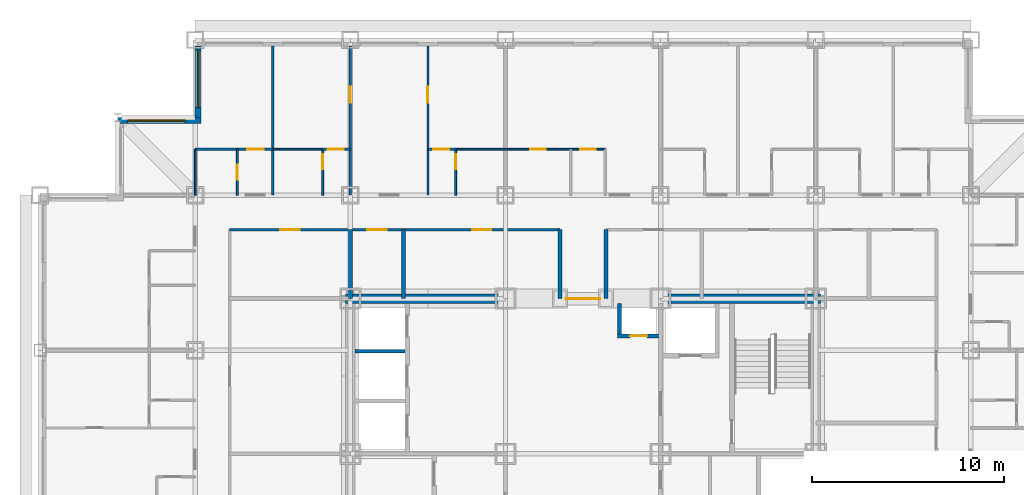
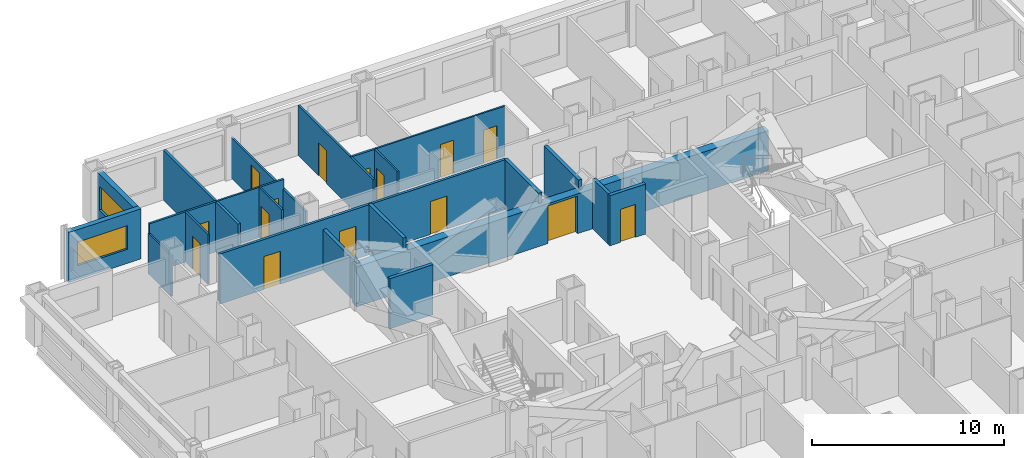
# One storey, part 9 of 14: 23 walls, 15 doors, 2 windows, 17 openings.
"""IFC4 building model written with IfcOpenShell, lengths in metres."""

from ifc_helpers import new_model, si_unit, direction, frame, frame_2d, origin, place, context, subcontext, project, spatial, rectangle, extrude, material, layer, layer_set, type_object, element, fill, save


model = new_model("IFC4")

# Units and contexts
model_context = context("Model", 3, precision=1e-05, world=origin(), true_north=direction((0.0, 1.0)))
body_context = subcontext(model_context, "Body", "Model", "MODEL_VIEW")
ifc_project = project(units=[si_unit("LENGTHUNIT", "METRE"), si_unit("AREAUNIT", "SQUARE_METRE"), si_unit("VOLUMEUNIT", "CUBIC_METRE"), si_unit("PLANEANGLEUNIT", "RADIAN"), si_unit("MASSUNIT", "GRAM", prefix="KILO")], contexts=[model_context])

# Site, building, storey
site_placement = place(None, origin())
site = spatial("IfcSite", under=ifc_project, at=site_placement, CompositionType="ELEMENT")
building_placement = place(site_placement, origin())
building = spatial("IfcBuilding", under=site, at=building_placement, Name="Kopane Lantern Tower", CompositionType="ELEMENT")
storey_placement = place(building_placement, frame((0.0, 0.0, 127.199951171875)))
storey = spatial("IfcBuildingStorey", under=building, at=storey_placement, Name="L32", CompositionType="ELEMENT", Elevation=127.199951171875)

# Wall, opening, door
ifc_material_1 = material(Name="Gypsum board on steel studs", Category="steel")
ifc_layer_1 = layer(ifc_material_1, 0.1201171875)
ifc_layer_set_1 = layer_set([ifc_layer_1], Name="APARTMENT INTERNAL WALL 120")
wall_type_1 = type_object("IfcWallType", Name="APARTMENT INTERNAL WALL 120", PredefinedType="PARTITIONING", material=ifc_layer_set_1)
wall_1_placement = place(storey_placement, frame((16.199951171875, 45.89990234375, 0.0), z_axis=(0.0, 0.0, 1.0), x_axis=(0.0, 1.0, 0.0)))
wall_1 = element("IfcWall", 1, at=wall_1_placement, inside=storey, type_object=wall_type_1, Name="Apartment Internal Wall 120 L32", PredefinedType="PARTITIONING", context=body_context, shape_type="SweptSolid", body=[
    extrude(rectangle(XDim=7.800048828125, YDim=0.1201171875, at=frame_2d((3.89990234375, 0.0))), origin(), (0.0, 0.0, 1.0), 2.577880859375),
])
opening_1_placement = place(wall_1_placement, frame((4.824951171875, 0.0, 0.0)))
opening_1 = element("IfcOpeningElement", 2, at=opening_1_placement, cuts=wall_1, Name="Opening L32-031", PredefinedType="OPENING", context=body_context, shape_type="SweptSolid", body=[
    extrude(rectangle(XDim=0.85009765625, YDim=2.10009765625, at=frame_2d((0.425048828125, 1.050048828125))), frame((0.0, 0.070068359375, 0.0), z_axis=(0.0, -1.0, 0.0), x_axis=(1.0, 0.0, 0.0)), (0.0, 0.0, 1.0), 0.14013671875),
])
ifc_material_2 = material(Name="Timber door set", Category="wood")
door_type_1 = type_object("IfcDoorType", Name="DOOR D4 850x2100", OperationType="SINGLE_SWING_LEFT", PredefinedType="DOOR", material=ifc_material_2)
door_1_placement = place(opening_1_placement, origin())
door_1 = element("IfcDoor", 3, at=door_1_placement, inside=storey, type_object=door_type_1, Name="Door L32-031", OperationType="SINGLE_SWING_LEFT", OverallHeight=2.10009765625, OverallWidth=0.85009765625, PredefinedType="DOOR", context=body_context, shape_type="SweptSolid", body=[
    extrude(rectangle(XDim=0.85009765625, YDim=2.10009765625, at=frame_2d((0.425048828125, 1.050048828125))), frame((0.0, 0.02490234375, 0.0), z_axis=(0.0, -1.0, 0.0), x_axis=(1.0, 0.0, 0.0)), (0.0, 0.0, 1.0), 0.050048828125),
])
fill(opening_1, door_1)

wall_2_placement = place(storey_placement, frame((20.25, 45.89990234375, 0.0), z_axis=(0.0, 0.0, 1.0), x_axis=(0.0, 1.0, 0.0)))
wall_2 = element("IfcWall", 4, at=wall_2_placement, inside=storey, type_object=wall_type_1, Name="Apartment Internal Wall 120 L32", PredefinedType="PARTITIONING", context=body_context, shape_type="SweptSolid", body=[
    extrude(rectangle(XDim=7.800048828125, YDim=0.1201171875, at=frame_2d((3.89990234375, 0.0))), origin(), (0.0, 0.0, 1.0), 3.18994140625),
])
opening_2_placement = place(wall_2_placement, frame((4.824951171875, 0.0, 0.0)))
opening_2 = element("IfcOpeningElement", 5, at=opening_2_placement, cuts=wall_2, Name="Opening L32-033", PredefinedType="OPENING", context=body_context, shape_type="SweptSolid", body=[
    extrude(rectangle(XDim=0.85009765625, YDim=2.10009765625, at=frame_2d((0.425048828125, 1.050048828125))), frame((0.0, 0.070068359375, 0.0), z_axis=(0.0, -1.0, 0.0), x_axis=(1.0, 0.0, 0.0)), (0.0, 0.0, 1.0), 0.14013671875),
])
door_2_placement = place(opening_2_placement, origin())
door_2 = element("IfcDoor", 6, at=door_2_placement, inside=storey, type_object=door_type_1, Name="Door L32-033", OperationType="SINGLE_SWING_RIGHT", OverallHeight=2.10009765625, OverallWidth=0.85009765625, PredefinedType="DOOR", context=body_context, shape_type="SweptSolid", body=[
    extrude(rectangle(XDim=0.85009765625, YDim=2.10009765625, at=frame_2d((0.425048828125, 1.050048828125))), frame((0.0, 0.02490234375, 0.0), z_axis=(0.0, -1.0, 0.0), x_axis=(1.0, 0.0, 0.0)), (0.0, 0.0, 1.0), 0.050048828125),
])
fill(opening_2, door_2)

wall_3_placement = place(storey_placement, frame((8.10009765625, 48.300048828125, 0.0), z_axis=(0.0, 0.0, 1.0), x_axis=(1.0, 0.0, 0.0)))
wall_3 = element("IfcWall", 7, at=wall_3_placement, inside=storey, type_object=wall_type_1, Name="Apartment Internal Wall 120 L32", PredefinedType="PARTITIONING", context=body_context, shape_type="SweptSolid", body=[
    extrude(rectangle(XDim=4.0498046875, YDim=0.1201171875, at=frame_2d((2.02490234375, 0.0))), origin(), (0.0, 0.0, 1.0), 3.18994140625),
])
opening_3_placement = place(wall_3_placement, frame((2.72509765625, 0.0, 0.0)))
opening_3 = element("IfcOpeningElement", 8, at=opening_3_placement, cuts=wall_3, Name="Opening L32-078", PredefinedType="OPENING", context=body_context, shape_type="SweptSolid", body=[
    extrude(rectangle(XDim=0.85009765625, YDim=2.10009765625, at=frame_2d((0.425048828125, 1.050048828125))), frame((0.0, 0.070068359375, 0.0), z_axis=(0.0, -1.0, 0.0), x_axis=(1.0, 0.0, 0.0)), (0.0, 0.0, 1.0), 0.14013671875),
])
door_3_placement = place(opening_3_placement, origin())
door_3 = element("IfcDoor", 9, at=door_3_placement, inside=storey, type_object=door_type_1, Name="Door L32-078", OperationType="SINGLE_SWING_LEFT", OverallHeight=2.10009765625, OverallWidth=0.85009765625, PredefinedType="DOOR", context=body_context, shape_type="SweptSolid", body=[
    extrude(rectangle(XDim=0.85009765625, YDim=2.10009765625, at=frame_2d((0.425048828125, 1.050048828125))), frame((0.0, 0.02490234375, 0.0), z_axis=(0.0, -1.0, 0.0), x_axis=(1.0, 0.0, 0.0)), (0.0, 0.0, 1.0), 0.050048828125),
])
fill(opening_3, door_3)

wall_4_placement = place(storey_placement, frame((14.739990234375, 48.300048828125, 0.0), z_axis=(0.0, 0.0, 1.0), x_axis=(1.0, 0.0, 0.0)))
wall_4 = element("IfcWall", 10, at=wall_4_placement, inside=storey, type_object=wall_type_1, Name="Apartment Internal Wall 120 L32", PredefinedType="PARTITIONING", context=body_context, shape_type="SweptSolid", body=[
    extrude(rectangle(XDim=1.4599609375, YDim=0.1201171875, at=frame_2d((0.72998046875, 0.0))), origin(), (0.0, 0.0, 1.0), 3.18994140625),
])
opening_4_placement = place(wall_4_placement, frame((0.27490234375, 0.0, 0.0)))
opening_4 = element("IfcOpeningElement", 11, at=opening_4_placement, cuts=wall_4, Name="Opening L32-083", PredefinedType="OPENING", context=body_context, shape_type="SweptSolid", body=[
    extrude(rectangle(XDim=0.85009765625, YDim=2.10009765625, at=frame_2d((0.425048828125, 1.050048828125))), frame((0.0, 0.070068359375, 0.0), z_axis=(0.0, -1.0, 0.0), x_axis=(1.0, 0.0, 0.0)), (0.0, 0.0, 1.0), 0.14013671875),
])
door_4_placement = place(opening_4_placement, origin())
door_4 = element("IfcDoor", 12, at=door_4_placement, inside=storey, type_object=door_type_1, Name="Door L32-083", OperationType="SINGLE_SWING_RIGHT", OverallHeight=2.10009765625, OverallWidth=0.85009765625, PredefinedType="DOOR", context=body_context, shape_type="SweptSolid", body=[
    extrude(rectangle(XDim=0.85009765625, YDim=2.10009765625, at=frame_2d((0.425048828125, 1.050048828125))), frame((0.0, 0.02490234375, 0.0), z_axis=(0.0, -1.0, 0.0), x_axis=(1.0, 0.0, 0.0)), (0.0, 0.0, 1.0), 0.050048828125),
])
fill(opening_4, door_4)

wall_5_placement = place(storey_placement, frame((20.25, 48.300048828125, 0.0), z_axis=(0.0, 0.0, 1.0), x_axis=(1.0, 0.0, 0.0)))
wall_5 = element("IfcWall", 13, at=wall_5_placement, inside=storey, type_object=wall_type_1, Name="Apartment Internal Wall 120 L32", PredefinedType="PARTITIONING", context=body_context, shape_type="SweptSolid", body=[
    extrude(rectangle(XDim=1.4599609375, YDim=0.1201171875, at=frame_2d((0.72998046875, 0.0))), origin(), (0.0, 0.0, 1.0), 3.18994140625),
])
opening_5_placement = place(wall_5_placement, frame((0.27490234375, 0.0, 0.0)))
opening_5 = element("IfcOpeningElement", 14, at=opening_5_placement, cuts=wall_5, Name="Opening L32-084", PredefinedType="OPENING", context=body_context, shape_type="SweptSolid", body=[
    extrude(rectangle(XDim=0.85009765625, YDim=2.10009765625, at=frame_2d((0.425048828125, 1.050048828125))), frame((0.0, 0.070068359375, 0.0), z_axis=(0.0, -1.0, 0.0), x_axis=(1.0, 0.0, 0.0)), (0.0, 0.0, 1.0), 0.14013671875),
])
door_5_placement = place(opening_5_placement, origin())
door_5 = element("IfcDoor", 15, at=door_5_placement, inside=storey, type_object=door_type_1, Name="Door L32-084", OperationType="SINGLE_SWING_LEFT", OverallHeight=2.10009765625, OverallWidth=0.85009765625, PredefinedType="DOOR", context=body_context, shape_type="SweptSolid", body=[
    extrude(rectangle(XDim=0.85009765625, YDim=2.10009765625, at=frame_2d((0.425048828125, 1.050048828125))), frame((0.0, 0.02490234375, 0.0), z_axis=(0.0, -1.0, 0.0), x_axis=(1.0, 0.0, 0.0)), (0.0, 0.0, 1.0), 0.050048828125),
])
fill(opening_5, door_5)

# Wall
ifc_material_3 = material(Name="Moisture-resistant board on steel studs", Category="steel")
ifc_layer_2 = layer(ifc_material_3, 0.10009765625)
ifc_layer_set_2 = layer_set([ifc_layer_2], Name="BATHROOM WALL 100")
wall_type_2 = type_object("IfcWallType", Name="BATHROOM WALL 100", PredefinedType="PARTITIONING", material=ifc_layer_set_2)
wall_6_placement = place(storey_placement, frame((12.14990234375, 48.300048828125, 0.0), z_axis=(0.0, 0.0, 1.0), x_axis=(1.0, 0.0, 0.0)))
element("IfcWall", 16, at=wall_6_placement, inside=storey, type_object=wall_type_2, Name="Bathroom Wall 100 L32", PredefinedType="PARTITIONING", context=body_context, shape_type="SweptSolid", body=[
    extrude(rectangle(XDim=2.60009765625, YDim=0.10009765625, at=frame_2d((1.300048828125, 0.0))), origin(), (0.0, 0.0, 1.0), 3.18994140625),
])

# Wall, opening, door
wall_7_placement = place(storey_placement, frame((14.75, 45.89990234375, 0.0), z_axis=(0.0, 0.0, 1.0), x_axis=(0.0, 1.0, 0.0)))
wall_7 = element("IfcWall", 17, at=wall_7_placement, inside=storey, type_object=wall_type_2, Name="Bathroom Wall 100 L32", PredefinedType="PARTITIONING", context=body_context, shape_type="SweptSolid", body=[
    extrude(rectangle(XDim=2.400146484375, YDim=0.10009765625, at=frame_2d((1.2001953125, 0.0))), origin(), (0.0, 0.0, 1.0), 3.18994140625),
])
opening_6_placement = place(wall_7_placement, frame((1.35009765625, 0.0, 0.0)))
opening_6 = element("IfcOpeningElement", 18, at=opening_6_placement, cuts=wall_7, Name="Opening L32-030", PredefinedType="OPENING", context=body_context, shape_type="SweptSolid", body=[
    extrude(rectangle(XDim=0.800048828125, YDim=2.10009765625, at=frame_2d((0.39990234375, 1.050048828125))), frame((0.0, 0.06005859375, 0.0), z_axis=(0.0, -1.0, 0.0), x_axis=(1.0, 0.0, 0.0)), (0.0, 0.0, 1.0), 0.1201171875),
])
ifc_material_4 = material(Name="Timber door set", Category="wood")
door_type_2 = type_object("IfcDoorType", Name="DOOR D2 800x2100", OperationType="SINGLE_SWING_LEFT", PredefinedType="DOOR", material=ifc_material_4)
door_6_placement = place(opening_6_placement, origin())
door_6 = element("IfcDoor", 19, at=door_6_placement, inside=storey, type_object=door_type_2, Name="Door L32-030", OperationType="SINGLE_SWING_LEFT", OverallHeight=2.10009765625, OverallWidth=0.800048828125, PredefinedType="DOOR", context=body_context, shape_type="SweptSolid", body=[
    extrude(rectangle(XDim=0.800048828125, YDim=2.10009765625, at=frame_2d((0.39990234375, 1.050048828125))), frame((0.0, 0.02490234375, 0.0), z_axis=(0.0, -1.0, 0.0), x_axis=(1.0, 0.0, 0.0)), (0.0, 0.0, 1.0), 0.050048828125),
])
fill(opening_6, door_6)

# Wall, openings, doors
wall_8_placement = place(storey_placement, frame((21.699951171875, 48.300048828125, 0.0), z_axis=(0.0, 0.0, 1.0), x_axis=(1.0, 0.0, 0.0)))
wall_8 = element("IfcWall", 20, at=wall_8_placement, inside=storey, type_object=wall_type_2, Name="Bathroom Wall 100 L32", PredefinedType="PARTITIONING", context=body_context, shape_type="SweptSolid", body=[
    extrude(rectangle(XDim=7.800048828125, YDim=0.10009765625, at=frame_2d((3.89990234375, 0.0))), origin(), (0.0, 0.0, 1.0), 3.18994140625),
])
opening_7_placement = place(wall_8_placement, frame((3.89990234375, 0.0, 0.0)))
opening_7 = element("IfcOpeningElement", 21, at=opening_7_placement, cuts=wall_8, Name="Opening L32-034", PredefinedType="OPENING", context=body_context, shape_type="SweptSolid", body=[
    extrude(rectangle(XDim=0.800048828125, YDim=2.10009765625, at=frame_2d((0.39990234375, 1.050048828125))), frame((0.0, 0.06005859375, 0.0), z_axis=(0.0, -1.0, 0.0), x_axis=(1.0, 0.0, 0.0)), (0.0, 0.0, 1.0), 0.1201171875),
])
opening_8_placement = place(wall_8_placement, frame((6.5, 0.0, 0.0)))
opening_8 = element("IfcOpeningElement", 22, at=opening_8_placement, cuts=wall_8, Name="Opening L32-035", PredefinedType="OPENING", context=body_context, shape_type="SweptSolid", body=[
    extrude(rectangle(XDim=0.800048828125, YDim=2.10009765625, at=frame_2d((0.39990234375, 1.050048828125))), frame((0.0, 0.06005859375, 0.0), z_axis=(0.0, -1.0, 0.0), x_axis=(1.0, 0.0, 0.0)), (0.0, 0.0, 1.0), 0.1201171875),
])
door_7_placement = place(opening_7_placement, origin())
door_7 = element("IfcDoor", 23, at=door_7_placement, inside=storey, type_object=door_type_2, Name="Door L32-034", OperationType="SINGLE_SWING_LEFT", OverallHeight=2.10009765625, OverallWidth=0.800048828125, PredefinedType="DOOR", context=body_context, shape_type="SweptSolid", body=[
    extrude(rectangle(XDim=0.800048828125, YDim=2.10009765625, at=frame_2d((0.39990234375, 1.050048828125))), frame((0.0, 0.02490234375, 0.0), z_axis=(0.0, -1.0, 0.0), x_axis=(1.0, 0.0, 0.0)), (0.0, 0.0, 1.0), 0.050048828125),
])
fill(opening_7, door_7)
door_8_placement = place(opening_8_placement, origin())
door_8 = element("IfcDoor", 24, at=door_8_placement, inside=storey, type_object=door_type_2, Name="Door L32-035", OperationType="SINGLE_SWING_LEFT", OverallHeight=2.10009765625, OverallWidth=0.800048828125, PredefinedType="DOOR", context=body_context, shape_type="SweptSolid", body=[
    extrude(rectangle(XDim=0.800048828125, YDim=2.10009765625, at=frame_2d((0.39990234375, 1.050048828125))), frame((0.0, 0.02490234375, 0.0), z_axis=(0.0, -1.0, 0.0), x_axis=(1.0, 0.0, 0.0)), (0.0, 0.0, 1.0), 0.050048828125),
])
fill(opening_8, door_8)

# Wall, opening, door
wall_9_placement = place(storey_placement, frame((21.699951171875, 45.89990234375, 0.0), z_axis=(0.0, 0.0, 1.0), x_axis=(0.0, 1.0, 0.0)))
wall_9 = element("IfcWall", 25, at=wall_9_placement, inside=storey, type_object=wall_type_2, Name="Bathroom Wall 100 L32", PredefinedType="PARTITIONING", context=body_context, shape_type="SweptSolid", body=[
    extrude(rectangle(XDim=2.400146484375, YDim=0.10009765625, at=frame_2d((1.2001953125, 0.0))), origin(), (0.0, 0.0, 1.0), 3.18994140625),
])
opening_9_placement = place(wall_9_placement, frame((1.35009765625, 0.0, 0.0)))
opening_9 = element("IfcOpeningElement", 26, at=opening_9_placement, cuts=wall_9, Name="Opening L32-032", PredefinedType="OPENING", context=body_context, shape_type="SweptSolid", body=[
    extrude(rectangle(XDim=0.800048828125, YDim=2.10009765625, at=frame_2d((0.39990234375, 1.050048828125))), frame((0.0, 0.06005859375, 0.0), z_axis=(0.0, -1.0, 0.0), x_axis=(1.0, 0.0, 0.0)), (0.0, 0.0, 1.0), 0.1201171875),
])
door_9_placement = place(opening_9_placement, origin())
door_9 = element("IfcDoor", 27, at=door_9_placement, inside=storey, type_object=door_type_2, Name="Door L32-032", OperationType="SINGLE_SWING_RIGHT", OverallHeight=2.10009765625, OverallWidth=0.800048828125, PredefinedType="DOOR", context=body_context, shape_type="SweptSolid", body=[
    extrude(rectangle(XDim=0.800048828125, YDim=2.10009765625, at=frame_2d((0.39990234375, 1.050048828125))), frame((0.0, 0.02490234375, 0.0), z_axis=(0.0, -1.0, 0.0), x_axis=(1.0, 0.0, 0.0)), (0.0, 0.0, 1.0), 0.050048828125),
])
fill(opening_9, door_9)

wall_10_placement = place(storey_placement, frame((10.300048828125, 45.89990234375, 0.0), z_axis=(0.0, 0.0, 1.0), x_axis=(0.0, 1.0, 0.0)))
wall_10 = element("IfcWall", 28, at=wall_10_placement, inside=storey, type_object=wall_type_2, Name="Bathroom Wall 100 L32", PredefinedType="PARTITIONING", context=body_context, shape_type="SweptSolid", body=[
    extrude(rectangle(XDim=2.400146484375, YDim=0.10009765625, at=frame_2d((1.2001953125, 0.0))), origin(), (0.0, 0.0, 1.0), 3.18994140625),
])
opening_10_placement = place(wall_10_placement, frame((0.800048828125, 0.0, 0.0)))
opening_10 = element("IfcOpeningElement", 29, at=opening_10_placement, cuts=wall_10, Name="Opening L32-076", PredefinedType="OPENING", context=body_context, shape_type="SweptSolid", body=[
    extrude(rectangle(XDim=0.800048828125, YDim=2.10009765625, at=frame_2d((0.39990234375, 1.050048828125))), frame((0.0, 0.06005859375, 0.0), z_axis=(0.0, -1.0, 0.0), x_axis=(1.0, 0.0, 0.0)), (0.0, 0.0, 1.0), 0.1201171875),
])
door_10_placement = place(opening_10_placement, origin())
door_10 = element("IfcDoor", 30, at=door_10_placement, inside=storey, type_object=door_type_2, Name="Door L32-076", OperationType="SINGLE_SWING_LEFT", OverallHeight=2.10009765625, OverallWidth=0.800048828125, PredefinedType="DOOR", context=body_context, shape_type="SweptSolid", body=[
    extrude(rectangle(XDim=0.800048828125, YDim=2.10009765625, at=frame_2d((0.39990234375, 1.050048828125))), frame((0.0, 0.02490234375, 0.0), z_axis=(0.0, -1.0, 0.0), x_axis=(1.0, 0.0, 0.0)), (0.0, 0.0, 1.0), 0.050048828125),
])
fill(opening_10, door_10)

# Wall
wall_11_placement = place(storey_placement, frame((8.10009765625, 45.89990234375, 0.0), z_axis=(0.0, 0.0, 1.0), x_axis=(0.0, 1.0, 0.0)))
element("IfcWall", 31, at=wall_11_placement, inside=storey, type_object=wall_type_2, Name="Bathroom Wall 100 L32", PredefinedType="PARTITIONING", context=body_context, shape_type="SweptSolid", body=[
    extrude(rectangle(XDim=2.400146484375, YDim=0.10009765625, at=frame_2d((1.2001953125, 0.0))), origin(), (0.0, 0.0, 1.0), 2.577880859375),
])

# Wall, opening, door
ifc_material_5 = material(Name="Gypsum shaft wall EI 120", Category="gypsum")
ifc_layer_3 = layer(ifc_material_5, 0.5)
ifc_layer_set_3 = layer_set([ifc_layer_3], Name="CORE PERIMETER WALL 500 EI 120")
wall_type_3 = type_object("IfcWallType", Name="CORE PERIMETER WALL 500 EI 120", PredefinedType="SOLIDWALL", material=ifc_layer_set_3)
wall_12_placement = place(storey_placement, frame((15.949951171875, 40.5, 0.0), z_axis=(0.0, 0.0, 1.0), x_axis=(1.0, 0.0, 0.0)))
wall_12 = element("IfcWall", 32, at=wall_12_placement, inside=storey, type_object=wall_type_3, Name="Core shaft wall L32 PN", PredefinedType="SOLIDWALL", context=body_context, shape_type="SweptSolid", body=[
    extrude(rectangle(XDim=24.800048828125, YDim=0.5, at=frame_2d((12.39990234375, 0.0))), origin(), (0.0, 0.0, 1.0), 2.5400390625),
])
opening_11_placement = place(wall_12_placement, frame((11.5, 0.0, 0.0)))
opening_11 = element("IfcOpeningElement", 33, at=opening_11_placement, cuts=wall_12, Name="Opening 32.CE-N", PredefinedType="OPENING", context=body_context, shape_type="SweptSolid", body=[
    extrude(rectangle(XDim=1.800048828125, YDim=2.39990234375, at=frame_2d((0.89990234375, 1.199951171875))), frame((0.0, 0.260009765625, 0.0), z_axis=(0.0, -1.0, 0.0), x_axis=(1.0, 0.0, 0.0)), (0.0, 0.0, 1.0), 0.52001953125),
])
ifc_material_6 = material(Name="Steel door set", Category="steel")
door_type_3 = type_object("IfcDoorType", Name="CORE ENTRY DOOR 1800x2400 FD60S", OperationType="DOUBLE_DOOR_SINGLE_SWING", PredefinedType="DOOR", material=ifc_material_6)
door_11_placement = place(opening_11_placement, origin())
door_11 = element("IfcDoor", 34, at=door_11_placement, inside=storey, type_object=door_type_3, Name="Core entry door L32 north", OperationType="DOUBLE_DOOR_SINGLE_SWING", OverallHeight=2.39990234375, OverallWidth=1.800048828125, PredefinedType="DOOR", context=body_context, shape_type="SweptSolid", body=[
    extrude(rectangle(XDim=1.800048828125, YDim=2.39990234375, at=frame_2d((0.89990234375, 1.199951171875))), frame((0.0, 0.02490234375, 0.0), z_axis=(0.0, -1.0, 0.0), x_axis=(1.0, 0.0, 0.0)), (0.0, 0.0, 1.0), 0.050048828125),
])
fill(opening_11, door_11)

# Wall, openings, doors
ifc_material_7 = material(Name="Gypsum board on steel studs", Category="steel")
ifc_layer_4 = layer(ifc_material_7, 0.14990234375)
ifc_layer_set_4 = layer_set([ifc_layer_4], Name="CORRIDOR WALL 150 EI 60")
wall_type_4 = type_object("IfcWallType", Name="CORRIDOR WALL 150 EI 60", PredefinedType="PARTITIONING", material=ifc_layer_set_4)
wall_13_placement = place(storey_placement, frame((27.139892578125, 44.10009765625, 0.0), z_axis=(0.0, 0.0, 1.0), x_axis=(-1.0, 0.0, 0.0)))
wall_13 = element("IfcWall", 35, at=wall_13_placement, inside=storey, type_object=wall_type_4, Name="Corridor Wall 150 Ei 60 L32", PredefinedType="PARTITIONING", context=body_context, shape_type="SweptSolid", body=[
    extrude(rectangle(XDim=17.239990234375, YDim=0.14990234375, at=frame_2d((8.6201171875, 0.0))), origin(), (0.0, 0.0, 1.0), 3.18994140625),
])
opening_12_placement = place(wall_13_placement, frame((13.590087890625, 0.0, 0.0)))
opening_12 = element("IfcOpeningElement", 36, at=opening_12_placement, cuts=wall_13, Name="Opening L32-008", PredefinedType="OPENING", context=body_context, shape_type="SweptSolid", body=[
    extrude(rectangle(XDim=1.0, YDim=2.10009765625, at=frame_2d((0.5, 1.050048828125))), frame((0.0, 0.0849609375, 0.0), z_axis=(0.0, -1.0, 0.0), x_axis=(1.0, 0.0, 0.0)), (0.0, 0.0, 1.0), 0.169921875),
])
opening_13_placement = place(wall_13_placement, frame((9.051025390625, 0.0, 0.0)))
opening_13 = element("IfcOpeningElement", 37, at=opening_13_placement, cuts=wall_13, Name="Opening L32-009", PredefinedType="OPENING", context=body_context, shape_type="SweptSolid", body=[
    extrude(rectangle(XDim=1.0, YDim=2.10009765625, at=frame_2d((0.5, 1.050048828125))), frame((0.0, 0.0849609375, 0.0), z_axis=(0.0, -1.0, 0.0), x_axis=(1.0, 0.0, 0.0)), (0.0, 0.0, 1.0), 0.169921875),
])
opening_14_placement = place(wall_13_placement, frame((3.576171875, 0.0, 0.0)))
opening_14 = element("IfcOpeningElement", 38, at=opening_14_placement, cuts=wall_13, Name="Opening L32-010", PredefinedType="OPENING", context=body_context, shape_type="SweptSolid", body=[
    extrude(rectangle(XDim=1.0, YDim=2.10009765625, at=frame_2d((0.5, 1.050048828125))), frame((0.0, 0.0849609375, 0.0), z_axis=(0.0, -1.0, 0.0), x_axis=(1.0, 0.0, 0.0)), (0.0, 0.0, 1.0), 0.169921875),
])
ifc_material_8 = material(Name="Steel door set", Category="steel")
door_type_4 = type_object("IfcDoorType", Name="DOOR D5 1000x2100 FD60", OperationType="SINGLE_SWING_LEFT", PredefinedType="DOOR", material=ifc_material_8)
door_12_placement = place(opening_12_placement, origin())
door_12 = element("IfcDoor", 39, at=door_12_placement, inside=storey, type_object=door_type_4, Name="Door L32-008", OperationType="SINGLE_SWING_LEFT", OverallHeight=2.10009765625, OverallWidth=1.0, PredefinedType="DOOR", context=body_context, shape_type="SweptSolid", body=[
    extrude(rectangle(XDim=1.0, YDim=2.10009765625, at=frame_2d((0.5, 1.050048828125))), frame((0.0, 0.02490234375, 0.0), z_axis=(0.0, -1.0, 0.0), x_axis=(1.0, 0.0, 0.0)), (0.0, 0.0, 1.0), 0.050048828125),
])
fill(opening_12, door_12)
door_13_placement = place(opening_13_placement, origin())
door_13 = element("IfcDoor", 40, at=door_13_placement, inside=storey, type_object=door_type_4, Name="Door L32-009", OperationType="SINGLE_SWING_RIGHT", OverallHeight=2.10009765625, OverallWidth=1.0, PredefinedType="DOOR", context=body_context, shape_type="SweptSolid", body=[
    extrude(rectangle(XDim=1.0, YDim=2.10009765625, at=frame_2d((0.5, 1.050048828125))), frame((0.0, 0.02490234375, 0.0), z_axis=(0.0, -1.0, 0.0), x_axis=(1.0, 0.0, 0.0)), (0.0, 0.0, 1.0), 0.050048828125),
])
fill(opening_13, door_13)
door_14_placement = place(opening_14_placement, origin())
door_14 = element("IfcDoor", 41, at=door_14_placement, inside=storey, type_object=door_type_4, Name="Door L32-010", OperationType="SINGLE_SWING_LEFT", OverallHeight=2.10009765625, OverallWidth=1.0, PredefinedType="DOOR", context=body_context, shape_type="SweptSolid", body=[
    extrude(rectangle(XDim=1.0, YDim=2.10009765625, at=frame_2d((0.5, 1.050048828125))), frame((0.0, 0.02490234375, 0.0), z_axis=(0.0, -1.0, 0.0), x_axis=(1.0, 0.0, 0.0)), (0.0, 0.0, 1.0), 0.050048828125),
])
fill(opening_14, door_14)

# Wall
ifc_material_9 = material(Name="Gypsum board on steel studs", Category="steel")
ifc_layer_5 = layer(ifc_material_9, 0.14990234375)
ifc_layer_set_5 = layer_set([ifc_layer_5], Name="DEMISING WALL 150 EI 60")
wall_type_5 = type_object("IfcWallType", Name="DEMISING WALL 150 EI 60", PredefinedType="PARTITIONING", material=ifc_layer_set_5)
wall_14_placement = place(storey_placement, frame((12.14990234375, 45.89990234375, 0.0), z_axis=(0.0, 0.0, 1.0), x_axis=(0.0, 1.0, 0.0)))
element("IfcWall", 42, at=wall_14_placement, inside=storey, type_object=wall_type_5, Name="Demising Wall 150 Ei 60 L32", PredefinedType="PARTITIONING", context=body_context, shape_type="SweptSolid", body=[
    extrude(rectangle(XDim=7.800048828125, YDim=0.14990234375, at=frame_2d((3.89990234375, 0.0))), origin(), (0.0, 0.0, 1.0), 3.18994140625),
])

# Wall, opening, window
ifc_material_10 = material(Name="Terracotta rainscreen on light steel framing", Category="masonry")
ifc_layer_6 = layer(ifc_material_10, 0.300048828125)
ifc_layer_set_6 = layer_set([ifc_layer_6], Name="EXTERNAL WALL EW1 300 TERRACOTTA")
wall_type_6 = type_object("IfcWallType", Name="EXTERNAL WALL EW1 300 TERRACOTTA", PredefinedType="SOLIDWALL", material=ifc_layer_set_6)
wall_15_placement = place(storey_placement, frame((8.25, 53.699951171875, 0.0), z_axis=(0.0, 0.0, 1.0), x_axis=(0.0, -1.0, 0.0)))
wall_15 = element("IfcWall", 43, at=wall_15_placement, inside=storey, type_object=wall_type_6, Name="External wall W L32", PredefinedType="SOLIDWALL", context=body_context, shape_type="SweptSolid", body=[
    extrude(rectangle(XDim=3.75, YDim=0.300048828125, at=frame_2d((1.875, 0.0))), origin(), (0.0, 0.0, 1.0), 3.18994140625),
])
opening_15_placement = place(wall_15_placement, frame((0.22509765625, 0.0, 0.89990234375)))
opening_15 = element("IfcOpeningElement", 44, at=opening_15_placement, cuts=wall_15, Name="Opening WR300150", PredefinedType="OPENING", context=body_context, shape_type="SweptSolid", body=[
    extrude(rectangle(XDim=3.0, YDim=1.5, at=frame_2d((1.5, 0.75))), frame((0.0, 0.159912109375, 0.0), z_axis=(0.0, -1.0, 0.0), x_axis=(1.0, 0.0, 0.0)), (0.0, 0.0, 1.0), 0.320068359375),
])
ifc_material_11 = material(Name="Aluminium and clear glass", Category="aluminium")
window_type = type_object("IfcWindowType", Name="RIBBON WINDOW WR300150 3000x1500", PartitioningType="SINGLE_PANEL", PredefinedType="WINDOW", material=ifc_material_11)
window_1_placement = place(opening_15_placement, origin())
window_1 = element("IfcWindow", 45, at=window_1_placement, inside=storey, type_object=window_type, Name="Window W L32", OverallHeight=1.5, OverallWidth=3.0, PartitioningType="SINGLE_PANEL", PredefinedType="WINDOW", context=body_context, shape_type="SweptSolid", body=[
    extrude(rectangle(XDim=3.0, YDim=1.5, at=frame_2d((1.5, 0.75))), frame((0.0, 0.030029296875, 0.0), z_axis=(0.0, -1.0, 0.0), x_axis=(1.0, 0.0, 0.0)), (0.0, 0.0, 1.0), 0.06005859375),
])
fill(opening_15, window_1)

wall_16_placement = place(storey_placement, frame((8.39990234375, 49.800048828125, 0.0), z_axis=(0.0, 0.0, 1.0), x_axis=(-1.0, 0.0, 0.0)))
wall_16 = element("IfcWall", 46, at=wall_16_placement, inside=storey, type_object=wall_type_6, Name="External wall N L32", PredefinedType="SOLIDWALL", context=body_context, shape_type="SweptSolid", body=[
    extrude(rectangle(XDim=4.349853515625, YDim=0.300048828125, at=frame_2d((2.1748046875, 0.0))), origin(), (0.0, 0.0, 1.0), 3.18994140625),
])
opening_16_placement = place(wall_16_placement, frame((0.824951171875, 0.0, 0.89990234375)))
opening_16 = element("IfcOpeningElement", 47, at=opening_16_placement, cuts=wall_16, Name="Opening WR300150", PredefinedType="OPENING", context=body_context, shape_type="SweptSolid", body=[
    extrude(rectangle(XDim=3.0, YDim=1.5, at=frame_2d((1.5, 0.75))), frame((0.0, 0.159912109375, 0.0), z_axis=(0.0, -1.0, 0.0), x_axis=(1.0, 0.0, 0.0)), (0.0, 0.0, 1.0), 0.320068359375),
])
window_2_placement = place(opening_16_placement, origin())
window_2 = element("IfcWindow", 48, at=window_2_placement, inside=storey, type_object=window_type, Name="Window N L32", OverallHeight=1.5, OverallWidth=3.0, PartitioningType="SINGLE_PANEL", PredefinedType="WINDOW", context=body_context, shape_type="SweptSolid", body=[
    extrude(rectangle(XDim=3.0, YDim=1.5, at=frame_2d((1.5, 0.75))), frame((0.0, 0.030029296875, 0.0), z_axis=(0.0, -1.0, 0.0), x_axis=(1.0, 0.0, 0.0)), (0.0, 0.0, 1.0), 0.06005859375),
])
fill(opening_16, window_2)

# Walls
ifc_material_12 = material(Name="Concrete masonry", Category="masonry")
ifc_layer_7 = layer(ifc_material_12, 0.199951171875)
ifc_layer_set_7 = layer_set([ifc_layer_7], Name="PLANT ROOM WALL 200 EI 120")
wall_type_7 = type_object("IfcWallType", Name="PLANT ROOM WALL 200 EI 120", PredefinedType="SOLIDWALL", material=ifc_layer_set_7)
wall_17_placement = place(storey_placement, frame((16.199951171875, 40.5, 0.0), z_axis=(0.0, 0.0, 1.0), x_axis=(0.0, 1.0, 0.0)))
element("IfcWall", 49, at=wall_17_placement, inside=storey, type_object=wall_type_7, Name="Plant Room Wall 200 Ei 120 L32", PredefinedType="SOLIDWALL", context=body_context, shape_type="SweptSolid", body=[
    extrude(rectangle(XDim=3.60009765625, YDim=0.199951171875, at=frame_2d((1.800048828125, 0.0))), origin(), (0.0, 0.0, 1.0), 2.577880859375),
])
for number, where, z_axis, x_axis, name in (
    (50, (18.977783203125, 44.10009765625, 0.0), (0.0, 0.0, 1.0), (0.0, -1.0, 0.0), "Plant Room Wall 200 Ei 120 L32"),
    (51, (27.14990234375, 40.5, 0.0), (0.0, 0.0, 1.0), (0.0, 1.0, 0.0), "Plant Room Wall 200 Ei 120 L32"),
    (52, (29.550048828125, 40.5, 0.0), (0.0, 0.0, 1.0), (0.0, 1.0, 0.0), "Plant Room Wall 200 Ei 120 L32"),
):
    element("IfcWall", number, at=place(storey_placement, frame(where, z_axis=z_axis, x_axis=x_axis)), inside=storey, type_object=wall_type_7, Name=name, PredefinedType="SOLIDWALL", context=body_context, shape_type="SweptSolid", body=[
        extrude(rectangle(XDim=3.60009765625, YDim=0.199951171875, at=frame_2d((1.800048828125, 0.0))), origin(), (0.0, 0.0, 1.0), 3.18994140625),
    ])
ifc_material_13 = material(Name="Gypsum shaft wall EI 120", Category="gypsum")
ifc_layer_8 = layer(ifc_material_13, 0.199951171875)
ifc_layer_set_8 = layer_set([ifc_layer_8], Name="SHAFT WALL 200 EI 120")
wall_type_8 = type_object("IfcWallType", Name="SHAFT WALL 200 EI 120", PredefinedType="SOLIDWALL", material=ifc_layer_set_8)
wall_18_placement = place(storey_placement, frame((16.449951171875, 37.75, 0.0), z_axis=(0.0, 0.0, 1.0), x_axis=(1.0, 0.0, 0.0)))
element("IfcWall", 53, at=wall_18_placement, inside=storey, type_object=wall_type_8, Name="Core shaft wall L32 YLH23", PredefinedType="SOLIDWALL", context=body_context, shape_type="SweptSolid", body=[
    extrude(rectangle(XDim=2.60009765625, YDim=0.199951171875, at=frame_2d((1.300048828125, 0.0))), origin(), (0.0, 0.0, 1.0), 3.18994140625),
])
wall_19_placement = place(storey_placement, frame((30.25, 38.64990234375, 0.0), z_axis=(0.0, 0.0, 1.0), x_axis=(0.0, 1.0, 0.0)))
element("IfcWall", 54, at=wall_19_placement, inside=storey, type_object=wall_type_8, Name="Core shaft wall L32 XRS2", PredefinedType="SOLIDWALL", context=body_context, shape_type="SweptSolid", body=[
    extrude(rectangle(XDim=1.60009765625, YDim=0.199951171875, at=frame_2d((0.800048828125, 0.0))), origin(), (0.0, 0.0, 1.0), 3.18994140625),
])

# Wall, opening, door
wall_20_placement = place(storey_placement, frame((30.14990234375, 38.550048828125, 0.0), z_axis=(0.0, 0.0, 1.0), x_axis=(1.0, 0.0, 0.0)))
wall_20 = element("IfcWall", 55, at=wall_20_placement, inside=storey, type_object=wall_type_8, Name="Core shaft wall L32 YRS2", PredefinedType="SOLIDWALL", context=body_context, shape_type="SweptSolid", body=[
    extrude(rectangle(XDim=2.150146484375, YDim=0.199951171875, at=frame_2d((1.0751953125, 0.0))), origin(), (0.0, 0.0, 1.0), 3.18994140625),
])
opening_17_placement = place(wall_20_placement, frame((0.64990234375, 0.0, 0.0)))
opening_17 = element("IfcOpeningElement", 56, at=opening_17_placement, cuts=wall_20, Name="Opening 32.RS2", PredefinedType="OPENING", context=body_context, shape_type="SweptSolid", body=[
    extrude(rectangle(XDim=0.89990234375, YDim=2.10009765625, at=frame_2d((0.449951171875, 1.050048828125))), frame((0.0, 0.10986328125, 0.0), z_axis=(0.0, -1.0, 0.0), x_axis=(1.0, 0.0, 0.0)), (0.0, 0.0, 1.0), 0.219970703125),
])
ifc_material_14 = material(Name="Steel door set", Category="steel")
door_type_5 = type_object("IfcDoorType", Name="RISER ACCESS DOOR 900x2100 FD60", OperationType="SINGLE_SWING_LEFT", PredefinedType="DOOR", material=ifc_material_14)
door_15_placement = place(opening_17_placement, origin())
door_15 = element("IfcDoor", 57, at=door_15_placement, inside=storey, type_object=door_type_5, Name="Riser access door RS2 L32", OperationType="SINGLE_SWING_LEFT", OverallHeight=2.10009765625, OverallWidth=0.89990234375, PredefinedType="DOOR", context=body_context, shape_type="SweptSolid", body=[
    extrude(rectangle(XDim=0.89990234375, YDim=2.10009765625, at=frame_2d((0.449951171875, 1.050048828125))), frame((0.0, 0.02490234375, 0.0), z_axis=(0.0, -1.0, 0.0), x_axis=(1.0, 0.0, 0.0)), (0.0, 0.0, 1.0), 0.050048828125),
])
fill(opening_17, door_15)

save(model, "model.ifc")
